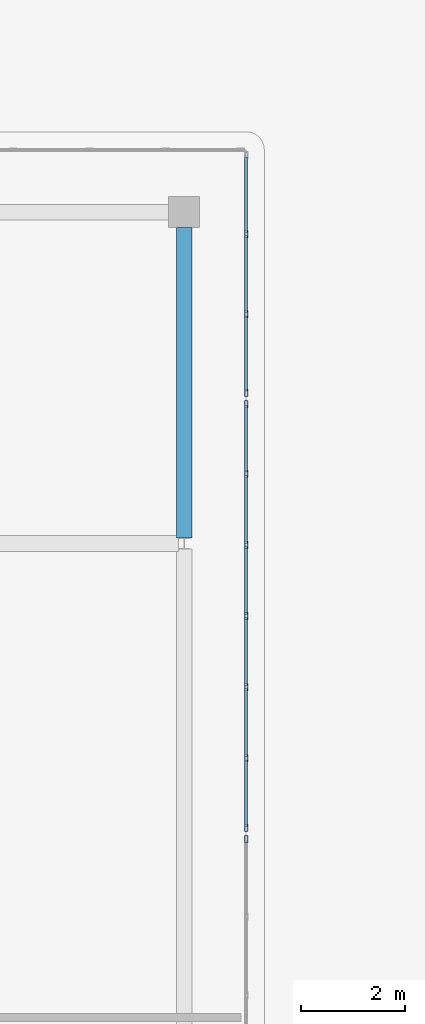
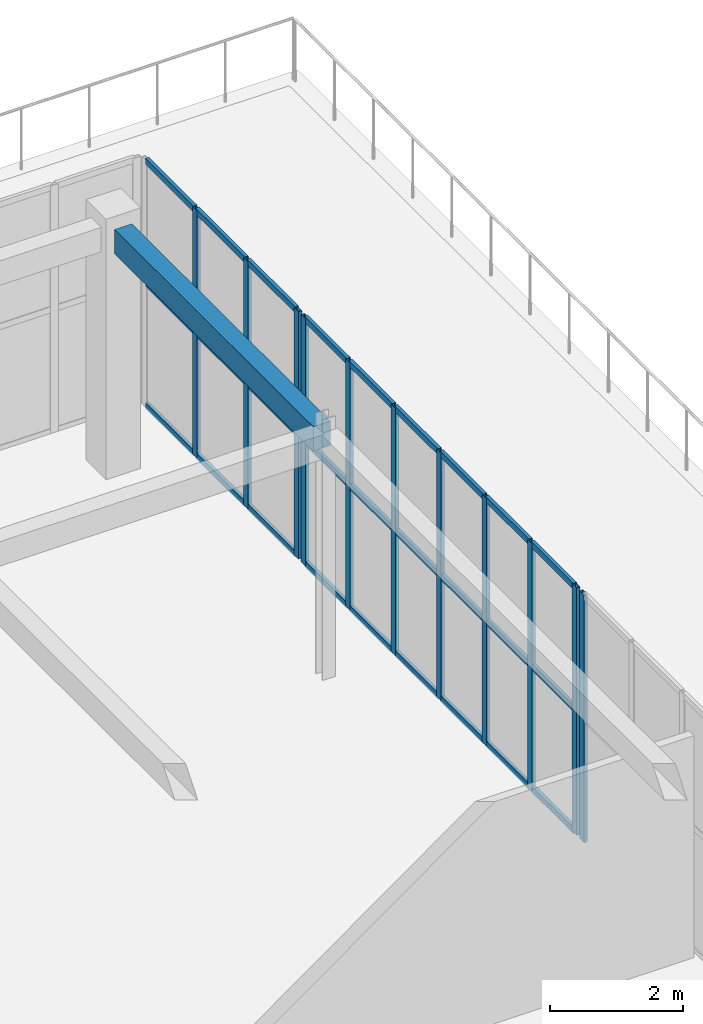
# One storey, part 81 of 158: 38 members, 1 beam, 3 elements without a shape of their own.
"""IFC4 building model written with IfcOpenShell, lengths in metres."""

from ifc_helpers import new_model, si_unit, direction, frame, origin, origin_2d, place, context, subcontext, project, spatial, rectangle, hollow_rectangle, extrude, material, layer, layer_set, material_profile, profile_set, type_object, element, aggregate, save


model = new_model("IFC4")

# Units and contexts
model_context = context("Model", 3, precision=1e-05, world=origin(), true_north=direction((0.0, 1.0)))
body_context = subcontext(model_context, "Body", "Model", "MODEL_VIEW")
ifc_project = project(units=[si_unit("LENGTHUNIT", "METRE"), si_unit("AREAUNIT", "SQUARE_METRE"), si_unit("VOLUMEUNIT", "CUBIC_METRE"), si_unit("PLANEANGLEUNIT", "RADIAN"), si_unit("MASSUNIT", "GRAM", prefix="KILO")], contexts=[model_context])

# Site, building, storey
site_placement = place(None, origin())
site = spatial("IfcSite", under=ifc_project, at=site_placement, CompositionType="ELEMENT")
building_placement = place(site_placement, origin())
building = spatial("IfcBuilding", under=site, at=building_placement, Name="Trelvath General Hospital", CompositionType="ELEMENT")
storey_placement = place(building_placement, frame((0.0, 0.0, 8.10009765625)))
storey = spatial("IfcBuildingStorey", under=building, at=storey_placement, Name="L02", CompositionType="ELEMENT", Elevation=8.10009765625)

# Beam
ifc_material_1 = material(Name="Concrete C35/45", Category="concrete")
ifc_material_profile_1 = material_profile(ifc_material_1, rectangle(XDim=0.300048828125, YDim=0.449951171875, at=origin_2d()), Name="RCB300x450")
ifc_profile_set_1 = profile_set([ifc_material_profile_1], Name="Concrete C35/45")
beam_type = type_object("IfcBeamType", Name="Beam RC300x450", PredefinedType="BEAM", material=ifc_profile_set_1)
beam_placement = place(storey_placement, frame((113.60009765625, 72.906005859375, 4.3349609375), z_axis=(0.0, 1.0, 0.0), x_axis=(-1.0, 0.0, 0.0)))
element("IfcBeam", 1, at=beam_placement, inside=storey, type_object=beam_type, Name="Cube Interior Ring Beam CUBE-E-T1 L02", PredefinedType="BEAM", context=body_context, shape_type="SweptSolid", body=[
    extrude(rectangle(XDim=0.300048828125, YDim=0.449951171875, at=origin_2d()), origin(), (0.0, 0.0, 1.0), 5.998046875),
])

# Curtain wall, member
ifc_material_2 = material(Name="Anodised aluminium and low-E glass", Category="aluminium")
ifc_layer_1 = layer(ifc_material_2, 0.139892578125)
ifc_layer_set_1 = layer_set([ifc_layer_1], Name="Anodised aluminium and low-E glass")
curtain_wall_type_1 = type_object("IfcCurtainWallType", Name="CW CrystalCube 914 456 14", PredefinedType="USERDEFINED", material=ifc_layer_set_1)
curtain_wall_1_placement = place(storey_placement, origin())
curtain_wall_1 = element("IfcCurtainWall", 2, at=curtain_wall_1_placement, inside=storey, type_object=curtain_wall_type_1, Name="Crystal Cube Curtain Wall CUBE-E-T1 E5 L02", ObjectType="Unitised Glazed Curtain Wall", PredefinedType="USERDEFINED")
ifc_material_3 = material(Name="Anodised aluminium", Category="aluminium")
ifc_material_profile_2 = material_profile(ifc_material_3, hollow_rectangle(XDim=0.06005859375, YDim=0.139892578125, WallThickness=0.00390625, at=origin_2d()), Name="RHS60x140x4")
ifc_profile_set_2 = profile_set([ifc_material_profile_2], Name="Anodised aluminium")
member_type_1 = type_object("IfcMemberType", Name="CurtainMullion 60x140", PredefinedType="MULLION", material=ifc_profile_set_2)
member_1_placement = place(storey_placement, frame((114.800048828125, 67.090087890625, 0.0), z_axis=(0.0, 0.0, 1.0), x_axis=(1.0, 0.0, 0.0)))
member_1 = element("IfcMember", 3, at=member_1_placement, type_object=member_type_1, Name="CW-215 mullion 1", PredefinedType="MULLION", context=body_context, shape_type="SweptSolid", body=[
    extrude(hollow_rectangle(XDim=0.06005859375, YDim=0.139892578125, WallThickness=0.00390625, at=origin_2d()), origin(), (0.0, 0.0, 1.0), 4.559814453125),
])
aggregate(curtain_wall_1, [member_1])

# Curtain wall, members
ifc_material_4 = material(Name="Anodised aluminium and low-E glass", Category="aluminium")
ifc_layer_2 = layer(ifc_material_4, 0.139892578125)
ifc_layer_set_2 = layer_set([ifc_layer_2], Name="Anodised aluminium and low-E glass")
curtain_wall_type_2 = type_object("IfcCurtainWallType", Name="CW CrystalCube 824 456 14", PredefinedType="USERDEFINED", material=ifc_layer_set_2)
curtain_wall_2_placement = place(storey_placement, origin())
curtain_wall_2 = element("IfcCurtainWall", 4, at=curtain_wall_2_placement, inside=storey, type_object=curtain_wall_type_2, Name="Crystal Cube Curtain Wall CUBE-E-T1 E6 L02", ObjectType="Unitised Glazed Curtain Wall", PredefinedType="USERDEFINED")
member_2_placement = place(storey_placement, frame((114.800048828125, 75.489990234375, 0.0), z_axis=(0.0, 0.0, 1.0), x_axis=(1.0, 0.0, 0.0)))
member_2 = element("IfcMember", 5, at=member_2_placement, type_object=member_type_1, Name="CW-216 mullion 1", PredefinedType="MULLION", context=body_context, shape_type="SweptSolid", body=[
    extrude(hollow_rectangle(XDim=0.06005859375, YDim=0.139892578125, WallThickness=0.00390625, at=origin_2d()), origin(), (0.0, 0.0, 1.0), 4.559814453125),
])
member_3_placement = place(storey_placement, frame((114.800048828125, 74.146728515625, 0.0), z_axis=(0.0, 0.0, 1.0), x_axis=(1.0, 0.0, 0.0)))
member_3 = element("IfcMember", 6, at=member_3_placement, type_object=member_type_1, Name="CW-216 mullion 2", PredefinedType="MULLION", context=body_context, shape_type="SweptSolid", body=[
    extrude(hollow_rectangle(XDim=0.06005859375, YDim=0.139892578125, WallThickness=0.00390625, at=origin_2d()), origin(), (0.0, 0.0, 1.0), 4.559814453125),
])
member_4_placement = place(storey_placement, frame((114.800048828125, 72.7734375, 0.0), z_axis=(0.0, 0.0, 1.0), x_axis=(1.0, 0.0, 0.0)))
member_4 = element("IfcMember", 7, at=member_4_placement, type_object=member_type_1, Name="CW-216 mullion 3", PredefinedType="MULLION", context=body_context, shape_type="SweptSolid", body=[
    extrude(hollow_rectangle(XDim=0.06005859375, YDim=0.139892578125, WallThickness=0.00390625, at=origin_2d()), origin(), (0.0, 0.0, 1.0), 4.559814453125),
])
member_5_placement = place(storey_placement, frame((114.800048828125, 71.39990234375, 0.0), z_axis=(0.0, 0.0, 1.0), x_axis=(1.0, 0.0, 0.0)))
member_5 = element("IfcMember", 8, at=member_5_placement, type_object=member_type_1, Name="CW-216 mullion 4", PredefinedType="MULLION", context=body_context, shape_type="SweptSolid", body=[
    extrude(hollow_rectangle(XDim=0.06005859375, YDim=0.139892578125, WallThickness=0.00390625, at=origin_2d()), origin(), (0.0, 0.0, 1.0), 4.559814453125),
])
member_6_placement = place(storey_placement, frame((114.800048828125, 70.026611328125, 0.0), z_axis=(0.0, 0.0, 1.0), x_axis=(1.0, 0.0, 0.0)))
member_6 = element("IfcMember", 9, at=member_6_placement, type_object=member_type_1, Name="CW-216 mullion 5", PredefinedType="MULLION", context=body_context, shape_type="SweptSolid", body=[
    extrude(hollow_rectangle(XDim=0.06005859375, YDim=0.139892578125, WallThickness=0.00390625, at=origin_2d()), origin(), (0.0, 0.0, 1.0), 4.559814453125),
])
member_7_placement = place(storey_placement, frame((114.800048828125, 68.6533203125, 0.0), z_axis=(0.0, 0.0, 1.0), x_axis=(1.0, 0.0, 0.0)))
member_7 = element("IfcMember", 10, at=member_7_placement, type_object=member_type_1, Name="CW-216 mullion 6", PredefinedType="MULLION", context=body_context, shape_type="SweptSolid", body=[
    extrude(hollow_rectangle(XDim=0.06005859375, YDim=0.139892578125, WallThickness=0.00390625, at=origin_2d()), origin(), (0.0, 0.0, 1.0), 4.559814453125),
])
member_8_placement = place(storey_placement, frame((114.800048828125, 67.31005859375, 0.0), z_axis=(0.0, 0.0, 1.0), x_axis=(1.0, 0.0, 0.0)))
member_8 = element("IfcMember", 11, at=member_8_placement, type_object=member_type_1, Name="CW-216 mullion 7", PredefinedType="MULLION", context=body_context, shape_type="SweptSolid", body=[
    extrude(hollow_rectangle(XDim=0.06005859375, YDim=0.139892578125, WallThickness=0.00390625, at=origin_2d()), origin(), (0.0, 0.0, 1.0), 4.559814453125),
])

ifc_material_5 = material(Name="Anodised aluminium and low-E glass", Category="aluminium")
ifc_layer_3 = layer(ifc_material_5, 0.139892578125)
ifc_layer_set_3 = layer_set([ifc_layer_3], Name="Anodised aluminium and low-E glass")
curtain_wall_type_3 = type_object("IfcCurtainWallType", Name="CW CrystalCube 464 456 14", PredefinedType="USERDEFINED", material=ifc_layer_set_3)
curtain_wall_3_placement = place(storey_placement, origin())
curtain_wall_3 = element("IfcCurtainWall", 12, at=curtain_wall_3_placement, inside=storey, type_object=curtain_wall_type_3, Name="Crystal Cube Curtain Wall CUBE-E-T1 E7 L02", ObjectType="Unitised Glazed Curtain Wall", PredefinedType="USERDEFINED")
member_9_placement = place(storey_placement, frame((114.800048828125, 78.7734375, 0.0), z_axis=(0.0, 0.0, 1.0), x_axis=(1.0, 0.0, 0.0)))
member_9 = element("IfcMember", 13, at=member_9_placement, type_object=member_type_1, Name="CW-218 mullion 2", PredefinedType="MULLION", context=body_context, shape_type="SweptSolid", body=[
    extrude(hollow_rectangle(XDim=0.06005859375, YDim=0.139892578125, WallThickness=0.00390625, at=origin_2d()), origin(), (0.0, 0.0, 1.0), 4.559814453125),
])
member_10_placement = place(storey_placement, frame((114.800048828125, 77.2265625, 0.0), z_axis=(0.0, 0.0, 1.0), x_axis=(1.0, 0.0, 0.0)))
member_10 = element("IfcMember", 14, at=member_10_placement, type_object=member_type_1, Name="CW-218 mullion 3", PredefinedType="MULLION", context=body_context, shape_type="SweptSolid", body=[
    extrude(hollow_rectangle(XDim=0.06005859375, YDim=0.139892578125, WallThickness=0.00390625, at=origin_2d()), origin(), (0.0, 0.0, 1.0), 4.559814453125),
])
member_11_placement = place(storey_placement, frame((114.800048828125, 75.7099609375, 0.0), z_axis=(0.0, 0.0, 1.0), x_axis=(1.0, 0.0, 0.0)))
member_11 = element("IfcMember", 15, at=member_11_placement, type_object=member_type_1, Name="CW-218 mullion 4", PredefinedType="MULLION", context=body_context, shape_type="SweptSolid", body=[
    extrude(hollow_rectangle(XDim=0.06005859375, YDim=0.139892578125, WallThickness=0.00390625, at=origin_2d()), origin(), (0.0, 0.0, 1.0), 4.559814453125),
])

# Member
ifc_material_6 = material(Name="Anodised aluminium", Category="aluminium")
ifc_material_profile_3 = material_profile(ifc_material_6, hollow_rectangle(XDim=0.06005859375, YDim=0.110107421875, WallThickness=0.00390625, at=origin_2d()), Name="RHS60x110x4")
ifc_profile_set_3 = profile_set([ifc_material_profile_3], Name="Anodised aluminium")
member_type_2 = type_object("IfcMemberType", Name="CurtainTransom 60x110", PredefinedType="USERDEFINED", material=ifc_profile_set_3)
member_12_placement = place(storey_placement, frame((114.800048828125, 75.4599609375, 0.02978515625), z_axis=(0.0, -1.0, 0.0), x_axis=(1.0, 0.0, 0.0)))
member_12 = element("IfcMember", 16, at=member_12_placement, type_object=member_type_2, Name="CW-216 transom 1.1", ObjectType="TRANSOM", PredefinedType="USERDEFINED", context=body_context, shape_type="SweptSolid", body=[
    extrude(hollow_rectangle(XDim=0.06005859375, YDim=0.110107421875, WallThickness=0.00390625, at=origin_2d()), origin(), (0.0, 0.0, 1.0), 1.283203125),
])

member_13_placement = place(storey_placement, frame((114.800048828125, 75.4599609375, 2.27978515625), z_axis=(0.0, -1.0, 0.0), x_axis=(1.0, 0.0, 0.0)))
member_13 = element("IfcMember", 17, at=member_13_placement, type_object=member_type_2, Name="CW-216 transom 1.2", ObjectType="TRANSOM", PredefinedType="USERDEFINED", context=body_context, shape_type="SweptSolid", body=[
    extrude(hollow_rectangle(XDim=0.06005859375, YDim=0.110107421875, WallThickness=0.00390625, at=origin_2d()), origin(), (0.0, 0.0, 1.0), 1.283203125),
])

member_14_placement = place(storey_placement, frame((114.800048828125, 75.4599609375, 4.52978515625), z_axis=(0.0, -1.0, 0.0), x_axis=(1.0, 0.0, 0.0)))
member_14 = element("IfcMember", 18, at=member_14_placement, type_object=member_type_2, Name="CW-216 transom 1.3", ObjectType="TRANSOM", PredefinedType="USERDEFINED", context=body_context, shape_type="SweptSolid", body=[
    extrude(hollow_rectangle(XDim=0.06005859375, YDim=0.110107421875, WallThickness=0.00390625, at=origin_2d()), origin(), (0.0, 0.0, 1.0), 1.283203125),
])

member_15_placement = place(storey_placement, frame((114.800048828125, 74.11669921875, 0.02978515625), z_axis=(0.0, -1.0, 0.0), x_axis=(1.0, 0.0, 0.0)))
member_15 = element("IfcMember", 19, at=member_15_placement, type_object=member_type_2, Name="CW-216 transom 2.1", ObjectType="TRANSOM", PredefinedType="USERDEFINED", context=body_context, shape_type="SweptSolid", body=[
    extrude(hollow_rectangle(XDim=0.06005859375, YDim=0.110107421875, WallThickness=0.00390625, at=origin_2d()), origin(), (0.0, 0.0, 1.0), 1.3134765625),
])

member_16_placement = place(storey_placement, frame((114.800048828125, 74.11669921875, 2.27978515625), z_axis=(0.0, -1.0, 0.0), x_axis=(1.0, 0.0, 0.0)))
member_16 = element("IfcMember", 20, at=member_16_placement, type_object=member_type_2, Name="CW-216 transom 2.2", ObjectType="TRANSOM", PredefinedType="USERDEFINED", context=body_context, shape_type="SweptSolid", body=[
    extrude(hollow_rectangle(XDim=0.06005859375, YDim=0.110107421875, WallThickness=0.00390625, at=origin_2d()), origin(), (0.0, 0.0, 1.0), 1.3134765625),
])

member_17_placement = place(storey_placement, frame((114.800048828125, 74.11669921875, 4.52978515625), z_axis=(0.0, -1.0, 0.0), x_axis=(1.0, 0.0, 0.0)))
member_17 = element("IfcMember", 21, at=member_17_placement, type_object=member_type_2, Name="CW-216 transom 2.3", ObjectType="TRANSOM", PredefinedType="USERDEFINED", context=body_context, shape_type="SweptSolid", body=[
    extrude(hollow_rectangle(XDim=0.06005859375, YDim=0.110107421875, WallThickness=0.00390625, at=origin_2d()), origin(), (0.0, 0.0, 1.0), 1.3134765625),
])

member_18_placement = place(storey_placement, frame((114.800048828125, 72.743408203125, 0.02978515625), z_axis=(0.0, -1.0, 0.0), x_axis=(1.0, 0.0, 0.0)))
member_18 = element("IfcMember", 22, at=member_18_placement, type_object=member_type_2, Name="CW-216 transom 3.1", ObjectType="TRANSOM", PredefinedType="USERDEFINED", context=body_context, shape_type="SweptSolid", body=[
    extrude(hollow_rectangle(XDim=0.06005859375, YDim=0.110107421875, WallThickness=0.00390625, at=origin_2d()), origin(), (0.0, 0.0, 1.0), 1.3134765625),
])

member_19_placement = place(storey_placement, frame((114.800048828125, 72.743408203125, 2.27978515625), z_axis=(0.0, -1.0, 0.0), x_axis=(1.0, 0.0, 0.0)))
member_19 = element("IfcMember", 23, at=member_19_placement, type_object=member_type_2, Name="CW-216 transom 3.2", ObjectType="TRANSOM", PredefinedType="USERDEFINED", context=body_context, shape_type="SweptSolid", body=[
    extrude(hollow_rectangle(XDim=0.06005859375, YDim=0.110107421875, WallThickness=0.00390625, at=origin_2d()), origin(), (0.0, 0.0, 1.0), 1.3134765625),
])

member_20_placement = place(storey_placement, frame((114.800048828125, 72.743408203125, 4.52978515625), z_axis=(0.0, -1.0, 0.0), x_axis=(1.0, 0.0, 0.0)))
member_20 = element("IfcMember", 24, at=member_20_placement, type_object=member_type_2, Name="CW-216 transom 3.3", ObjectType="TRANSOM", PredefinedType="USERDEFINED", context=body_context, shape_type="SweptSolid", body=[
    extrude(hollow_rectangle(XDim=0.06005859375, YDim=0.110107421875, WallThickness=0.00390625, at=origin_2d()), origin(), (0.0, 0.0, 1.0), 1.3134765625),
])

member_21_placement = place(storey_placement, frame((114.800048828125, 71.3701171875, 0.02978515625), z_axis=(0.0, -1.0, 0.0), x_axis=(1.0, 0.0, 0.0)))
member_21 = element("IfcMember", 25, at=member_21_placement, type_object=member_type_2, Name="CW-216 transom 4.1", ObjectType="TRANSOM", PredefinedType="USERDEFINED", context=body_context, shape_type="SweptSolid", body=[
    extrude(hollow_rectangle(XDim=0.06005859375, YDim=0.110107421875, WallThickness=0.00390625, at=origin_2d()), origin(), (0.0, 0.0, 1.0), 1.3134765625),
])

member_22_placement = place(storey_placement, frame((114.800048828125, 71.3701171875, 2.27978515625), z_axis=(0.0, -1.0, 0.0), x_axis=(1.0, 0.0, 0.0)))
member_22 = element("IfcMember", 26, at=member_22_placement, type_object=member_type_2, Name="CW-216 transom 4.2", ObjectType="TRANSOM", PredefinedType="USERDEFINED", context=body_context, shape_type="SweptSolid", body=[
    extrude(hollow_rectangle(XDim=0.06005859375, YDim=0.110107421875, WallThickness=0.00390625, at=origin_2d()), origin(), (0.0, 0.0, 1.0), 1.3134765625),
])

member_23_placement = place(storey_placement, frame((114.800048828125, 71.3701171875, 4.52978515625), z_axis=(0.0, -1.0, 0.0), x_axis=(1.0, 0.0, 0.0)))
member_23 = element("IfcMember", 27, at=member_23_placement, type_object=member_type_2, Name="CW-216 transom 4.3", ObjectType="TRANSOM", PredefinedType="USERDEFINED", context=body_context, shape_type="SweptSolid", body=[
    extrude(hollow_rectangle(XDim=0.06005859375, YDim=0.110107421875, WallThickness=0.00390625, at=origin_2d()), origin(), (0.0, 0.0, 1.0), 1.3134765625),
])

member_24_placement = place(storey_placement, frame((114.800048828125, 69.99658203125, 0.02978515625), z_axis=(0.0, -1.0, 0.0), x_axis=(1.0, 0.0, 0.0)))
member_24 = element("IfcMember", 28, at=member_24_placement, type_object=member_type_2, Name="CW-216 transom 5.1", ObjectType="TRANSOM", PredefinedType="USERDEFINED", context=body_context, shape_type="SweptSolid", body=[
    extrude(hollow_rectangle(XDim=0.06005859375, YDim=0.110107421875, WallThickness=0.00390625, at=origin_2d()), origin(), (0.0, 0.0, 1.0), 1.313232421875),
])

member_25_placement = place(storey_placement, frame((114.800048828125, 69.99658203125, 2.27978515625), z_axis=(0.0, -1.0, 0.0), x_axis=(1.0, 0.0, 0.0)))
member_25 = element("IfcMember", 29, at=member_25_placement, type_object=member_type_2, Name="CW-216 transom 5.2", ObjectType="TRANSOM", PredefinedType="USERDEFINED", context=body_context, shape_type="SweptSolid", body=[
    extrude(hollow_rectangle(XDim=0.06005859375, YDim=0.110107421875, WallThickness=0.00390625, at=origin_2d()), origin(), (0.0, 0.0, 1.0), 1.313232421875),
])

member_26_placement = place(storey_placement, frame((114.800048828125, 69.99658203125, 4.52978515625), z_axis=(0.0, -1.0, 0.0), x_axis=(1.0, 0.0, 0.0)))
member_26 = element("IfcMember", 30, at=member_26_placement, type_object=member_type_2, Name="CW-216 transom 5.3", ObjectType="TRANSOM", PredefinedType="USERDEFINED", context=body_context, shape_type="SweptSolid", body=[
    extrude(hollow_rectangle(XDim=0.06005859375, YDim=0.110107421875, WallThickness=0.00390625, at=origin_2d()), origin(), (0.0, 0.0, 1.0), 1.313232421875),
])

member_27_placement = place(storey_placement, frame((114.800048828125, 68.623291015625, 0.02978515625), z_axis=(0.0, -1.0, 0.0), x_axis=(1.0, 0.0, 0.0)))
member_27 = element("IfcMember", 31, at=member_27_placement, type_object=member_type_2, Name="CW-216 transom 6.1", ObjectType="TRANSOM", PredefinedType="USERDEFINED", context=body_context, shape_type="SweptSolid", body=[
    extrude(hollow_rectangle(XDim=0.06005859375, YDim=0.110107421875, WallThickness=0.00390625, at=origin_2d()), origin(), (0.0, 0.0, 1.0), 1.283203125),
])

member_28_placement = place(storey_placement, frame((114.800048828125, 68.623291015625, 2.27978515625), z_axis=(0.0, -1.0, 0.0), x_axis=(1.0, 0.0, 0.0)))
member_28 = element("IfcMember", 32, at=member_28_placement, type_object=member_type_2, Name="CW-216 transom 6.2", ObjectType="TRANSOM", PredefinedType="USERDEFINED", context=body_context, shape_type="SweptSolid", body=[
    extrude(hollow_rectangle(XDim=0.06005859375, YDim=0.110107421875, WallThickness=0.00390625, at=origin_2d()), origin(), (0.0, 0.0, 1.0), 1.283203125),
])

member_29_placement = place(storey_placement, frame((114.800048828125, 68.623291015625, 4.52978515625), z_axis=(0.0, -1.0, 0.0), x_axis=(1.0, 0.0, 0.0)))
member_29 = element("IfcMember", 33, at=member_29_placement, type_object=member_type_2, Name="CW-216 transom 6.3", ObjectType="TRANSOM", PredefinedType="USERDEFINED", context=body_context, shape_type="SweptSolid", body=[
    extrude(hollow_rectangle(XDim=0.06005859375, YDim=0.110107421875, WallThickness=0.00390625, at=origin_2d()), origin(), (0.0, 0.0, 1.0), 1.283203125),
])

aggregate(curtain_wall_2, [member_2, member_3, member_4, member_5, member_6, member_7, member_8, member_12, member_13, member_14, member_15, member_16, member_17, member_18, member_19, member_20, member_21, member_22, member_23, member_24, member_25, member_26, member_27, member_28, member_29])

member_30_placement = place(storey_placement, frame((114.800048828125, 80.260009765625, 0.02978515625), z_axis=(0.0, -1.0, 0.0), x_axis=(1.0, 0.0, 0.0)))
member_30 = element("IfcMember", 34, at=member_30_placement, type_object=member_type_2, Name="CW-218 transom 1.1", ObjectType="TRANSOM", PredefinedType="USERDEFINED", context=body_context, shape_type="SweptSolid", body=[
    extrude(hollow_rectangle(XDim=0.06005859375, YDim=0.110107421875, WallThickness=0.00390625, at=origin_2d()), origin(), (0.0, 0.0, 1.0), 1.456787109375),
])

member_31_placement = place(storey_placement, frame((114.800048828125, 80.260009765625, 2.27978515625), z_axis=(0.0, -1.0, 0.0), x_axis=(1.0, 0.0, 0.0)))
member_31 = element("IfcMember", 35, at=member_31_placement, type_object=member_type_2, Name="CW-218 transom 1.2", ObjectType="TRANSOM", PredefinedType="USERDEFINED", context=body_context, shape_type="SweptSolid", body=[
    extrude(hollow_rectangle(XDim=0.06005859375, YDim=0.110107421875, WallThickness=0.00390625, at=origin_2d()), origin(), (0.0, 0.0, 1.0), 1.456787109375),
])

member_32_placement = place(storey_placement, frame((114.800048828125, 80.260009765625, 4.52978515625), z_axis=(0.0, -1.0, 0.0), x_axis=(1.0, 0.0, 0.0)))
member_32 = element("IfcMember", 36, at=member_32_placement, type_object=member_type_2, Name="CW-218 transom 1.3", ObjectType="TRANSOM", PredefinedType="USERDEFINED", context=body_context, shape_type="SweptSolid", body=[
    extrude(hollow_rectangle(XDim=0.06005859375, YDim=0.110107421875, WallThickness=0.00390625, at=origin_2d()), origin(), (0.0, 0.0, 1.0), 1.456787109375),
])

member_33_placement = place(storey_placement, frame((114.800048828125, 78.743408203125, 0.02978515625), z_axis=(0.0, -1.0, 0.0), x_axis=(1.0, 0.0, 0.0)))
member_33 = element("IfcMember", 37, at=member_33_placement, type_object=member_type_2, Name="CW-218 transom 2.1", ObjectType="TRANSOM", PredefinedType="USERDEFINED", context=body_context, shape_type="SweptSolid", body=[
    extrude(hollow_rectangle(XDim=0.06005859375, YDim=0.110107421875, WallThickness=0.00390625, at=origin_2d()), origin(), (0.0, 0.0, 1.0), 1.48681640625),
])

member_34_placement = place(storey_placement, frame((114.800048828125, 78.743408203125, 2.27978515625), z_axis=(0.0, -1.0, 0.0), x_axis=(1.0, 0.0, 0.0)))
member_34 = element("IfcMember", 38, at=member_34_placement, type_object=member_type_2, Name="CW-218 transom 2.2", ObjectType="TRANSOM", PredefinedType="USERDEFINED", context=body_context, shape_type="SweptSolid", body=[
    extrude(hollow_rectangle(XDim=0.06005859375, YDim=0.110107421875, WallThickness=0.00390625, at=origin_2d()), origin(), (0.0, 0.0, 1.0), 1.48681640625),
])

member_35_placement = place(storey_placement, frame((114.800048828125, 78.743408203125, 4.52978515625), z_axis=(0.0, -1.0, 0.0), x_axis=(1.0, 0.0, 0.0)))
member_35 = element("IfcMember", 39, at=member_35_placement, type_object=member_type_2, Name="CW-218 transom 2.3", ObjectType="TRANSOM", PredefinedType="USERDEFINED", context=body_context, shape_type="SweptSolid", body=[
    extrude(hollow_rectangle(XDim=0.06005859375, YDim=0.110107421875, WallThickness=0.00390625, at=origin_2d()), origin(), (0.0, 0.0, 1.0), 1.48681640625),
])

member_36_placement = place(storey_placement, frame((114.800048828125, 77.19677734375, 0.02978515625), z_axis=(0.0, -1.0, 0.0), x_axis=(1.0, 0.0, 0.0)))
member_36 = element("IfcMember", 40, at=member_36_placement, type_object=member_type_2, Name="CW-218 transom 3.1", ObjectType="TRANSOM", PredefinedType="USERDEFINED", context=body_context, shape_type="SweptSolid", body=[
    extrude(hollow_rectangle(XDim=0.06005859375, YDim=0.110107421875, WallThickness=0.00390625, at=origin_2d()), origin(), (0.0, 0.0, 1.0), 1.456787109375),
])

member_37_placement = place(storey_placement, frame((114.800048828125, 77.19677734375, 2.27978515625), z_axis=(0.0, -1.0, 0.0), x_axis=(1.0, 0.0, 0.0)))
member_37 = element("IfcMember", 41, at=member_37_placement, type_object=member_type_2, Name="CW-218 transom 3.2", ObjectType="TRANSOM", PredefinedType="USERDEFINED", context=body_context, shape_type="SweptSolid", body=[
    extrude(hollow_rectangle(XDim=0.06005859375, YDim=0.110107421875, WallThickness=0.00390625, at=origin_2d()), origin(), (0.0, 0.0, 1.0), 1.456787109375),
])

member_38_placement = place(storey_placement, frame((114.800048828125, 77.19677734375, 4.52978515625), z_axis=(0.0, -1.0, 0.0), x_axis=(1.0, 0.0, 0.0)))
member_38 = element("IfcMember", 42, at=member_38_placement, type_object=member_type_2, Name="CW-218 transom 3.3", ObjectType="TRANSOM", PredefinedType="USERDEFINED", context=body_context, shape_type="SweptSolid", body=[
    extrude(hollow_rectangle(XDim=0.06005859375, YDim=0.110107421875, WallThickness=0.00390625, at=origin_2d()), origin(), (0.0, 0.0, 1.0), 1.456787109375),
])

aggregate(curtain_wall_3, [member_9, member_10, member_11, member_30, member_31, member_32, member_33, member_34, member_35, member_36, member_37, member_38])

save(model, "model.ifc")
